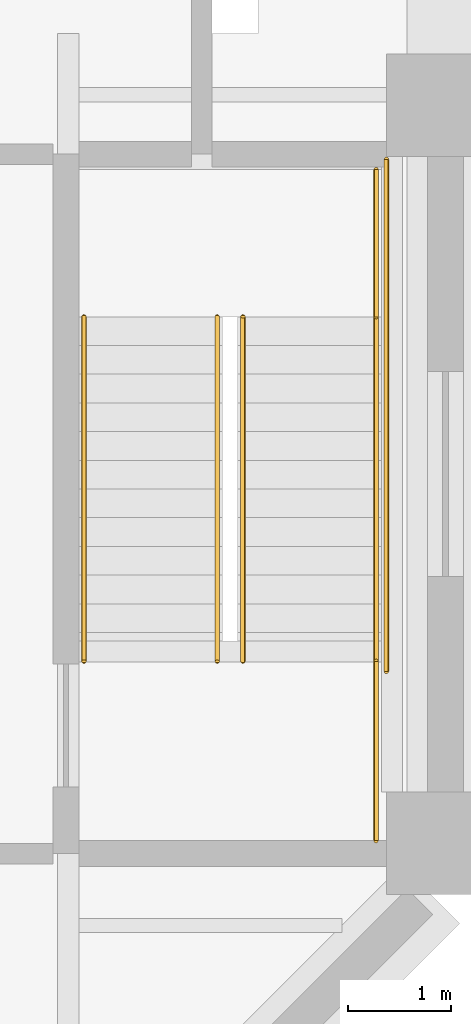
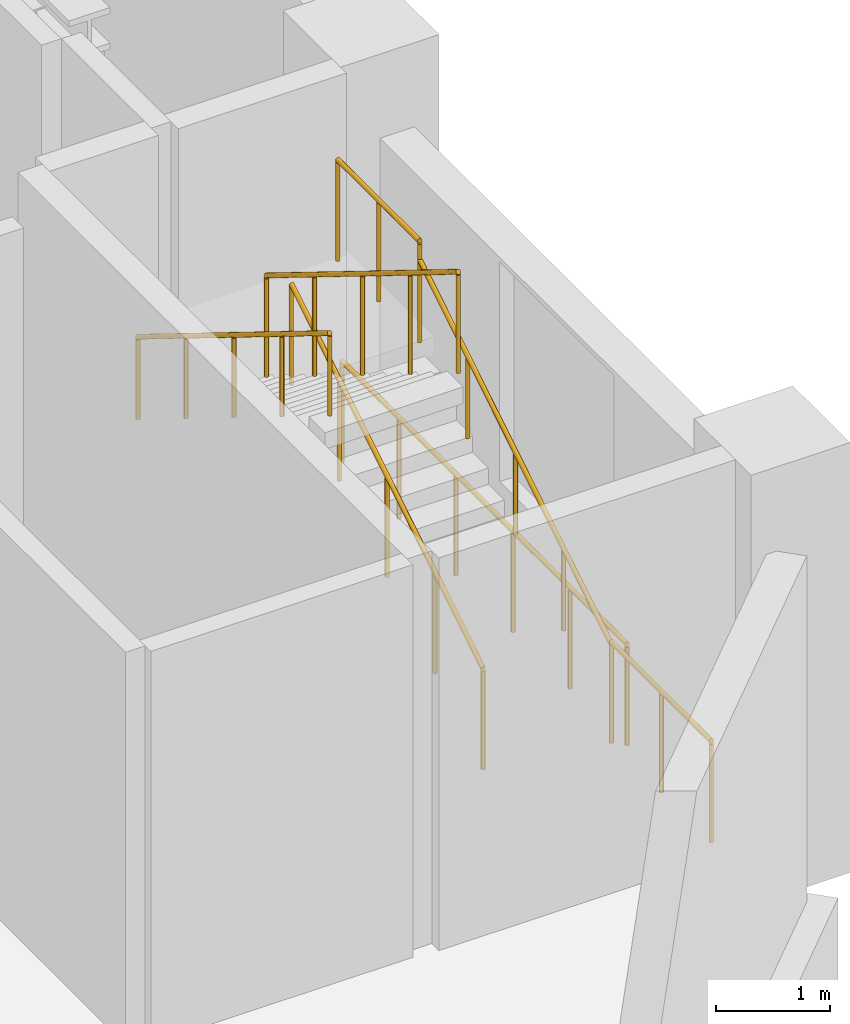
# One storey, part 30 of 32: 7 railings.
"""IFC4 building model written with IfcOpenShell, lengths in metres."""

from ifc_helpers import new_model, si_unit, direction, frame, origin, origin_2d, place, context, subcontext, project, spatial, circle, extrude, material, type_object, element, save


model = new_model("IFC4")

# Units and contexts
model_context = context("Model", 3, precision=1e-05, world=origin(), true_north=direction((0.0, 1.0)))
body_context = subcontext(model_context, "Body", "Model", "MODEL_VIEW")
ifc_project = project(units=[si_unit("LENGTHUNIT", "METRE"), si_unit("AREAUNIT", "SQUARE_METRE"), si_unit("VOLUMEUNIT", "CUBIC_METRE"), si_unit("PLANEANGLEUNIT", "RADIAN"), si_unit("MASSUNIT", "GRAM", prefix="KILO")], contexts=[model_context])

# Site, building, storey
site_placement = place(None, origin())
site = spatial("IfcSite", under=ifc_project, at=site_placement, CompositionType="ELEMENT")
building_placement = place(site_placement, origin())
building = spatial("IfcBuilding", under=site, at=building_placement, Name="Isthmus Gate Tower", CompositionType="ELEMENT")
storey_placement = place(building_placement, frame((0.0, 0.0, 18.0)))
storey = spatial("IfcBuildingStorey", under=building, at=storey_placement, Name="L02", CompositionType="ELEMENT", Elevation=18.0)

# Railings
ifc_material_1 = material(Name="Painted steel balusters with timber handrail", Category="steel")
railing_type_1 = type_object("IfcRailingType", Name="Podium stair guard 1100", PredefinedType="GUARDRAIL", material=ifc_material_1)
railing_1_placement = place(storey_placement, frame((49.60009765625, -32.72509765625, 0.173095703125)))
element("IfcRailing", 1, at=railing_1_placement, inside=storey, type_object=railing_type_1, Name="L02 ST4 stair guard 1", PredefinedType="GUARDRAIL", context=body_context, shape_type="SweptSolid", body=[
    extrude(circle(Radius=0.02392578125, at=origin_2d()), frame((0.0, 0.0, 1.076171875), z_axis=(0.0, 0.850623216509, 0.525775754039), x_axis=(-1.0, 0.0, 0.0)), (0.0, 0.0, 1.0), 3.9501953125),
    extrude(circle(Radius=0.02099609375, at=origin_2d()), origin(), (0.0, 0.0, 1.0), 1.052001953125),
    extrude(circle(Radius=0.02099609375, at=origin_2d()), frame((0.0, 0.840087890625, 0.519287109375)), (0.0, 0.0, 1.0), 1.052001953125),
    extrude(circle(Radius=0.02099609375, at=origin_2d()), frame((0.0, 1.68017578125, 1.03857421875)), (0.0, 0.0, 1.0), 1.052001953125),
    extrude(circle(Radius=0.02099609375, at=origin_2d()), frame((0.0, 2.52001953125, 1.5576171875)), (0.0, 0.0, 1.0), 1.052001953125),
    extrude(circle(Radius=0.02099609375, at=origin_2d()), frame((0.0, 3.360107421875, 2.076904296875)), (0.0, 0.0, 1.0), 1.052001953125),
])
railing_2_placement = place(storey_placement, frame((50.89990234375, -29.364990234375, 2.25)))
element("IfcRailing", 2, at=railing_2_placement, inside=storey, type_object=railing_type_1, Name="L02 ST4 stair guard 2", PredefinedType="GUARDRAIL", context=body_context, shape_type="SweptSolid", body=[
    extrude(circle(Radius=0.02392578125, at=origin_2d()), frame((0.0, 0.0, 1.076171875), z_axis=(0.0, 1.0, 0.0), x_axis=(-1.0, 0.0, 0.0)), (0.0, 0.0, 1.0), 1.43603515625),
    extrude(circle(Radius=0.02099609375, at=origin_2d()), origin(), (0.0, 0.0, 1.0), 1.052001953125),
    extrude(circle(Radius=0.02099609375, at=origin_2d()), frame((0.0, 0.718017578125, 0.0)), (0.0, 0.0, 1.0), 1.052001953125),
    extrude(circle(Radius=0.02099609375, at=origin_2d()), frame((0.0, 1.43603515625, 0.0)), (0.0, 0.0, 1.0), 1.052001953125),
])
railing_3_placement = place(storey_placement, frame((49.35009765625, -29.364990234375, 2.423095703125)))
element("IfcRailing", 3, at=railing_3_placement, inside=storey, type_object=railing_type_1, Name="L02 ST4 stair guard 3", PredefinedType="GUARDRAIL", context=body_context, shape_type="SweptSolid", body=[
    extrude(circle(Radius=0.02392578125, at=origin_2d()), frame((0.0, 0.0, 1.076171875), z_axis=(0.0, -0.850623216509, 0.525775754039), x_axis=(1.0, 0.0, 0.0)), (0.0, 0.0, 1.0), 3.9501953125),
    extrude(circle(Radius=0.02099609375, at=origin_2d()), origin(), (0.0, 0.0, 1.0), 1.052001953125),
    extrude(circle(Radius=0.02099609375, at=origin_2d()), frame((0.0, -0.840087890625, 0.519287109375)), (0.0, 0.0, 1.0), 1.052001953125),
    extrude(circle(Radius=0.02099609375, at=origin_2d()), frame((0.0, -1.68017578125, 1.03857421875)), (0.0, 0.0, 1.0), 1.052001953125),
    extrude(circle(Radius=0.02099609375, at=origin_2d()), frame((0.0, -2.52001953125, 1.5576171875)), (0.0, 0.0, 1.0), 1.052001953125),
    extrude(circle(Radius=0.02099609375, at=origin_2d()), frame((0.0, -3.360107421875, 2.076904296875)), (0.0, 0.0, 1.0), 1.052001953125),
])
railing_4_placement = place(storey_placement, frame((50.89990234375, -34.47509765625, 0.0)))
element("IfcRailing", 4, at=railing_4_placement, inside=storey, type_object=railing_type_1, Name="L02 ST4 stair guard 4", PredefinedType="GUARDRAIL", context=body_context, shape_type="SweptSolid", body=[
    extrude(circle(Radius=0.02392578125, at=origin_2d()), frame((0.0, 0.0, 1.076171875), z_axis=(0.0, 1.0, 0.0), x_axis=(-1.0, 0.0, 0.0)), (0.0, 0.0, 1.0), 1.75),
    extrude(circle(Radius=0.02099609375, at=origin_2d()), origin(), (0.0, 0.0, 1.0), 1.052001953125),
    extrude(circle(Radius=0.02099609375, at=origin_2d()), frame((0.0, 0.875, 0.0)), (0.0, 0.0, 1.0), 1.052001953125),
    extrude(circle(Radius=0.02099609375, at=origin_2d()), frame((0.0, 1.75, 0.0)), (0.0, 0.0, 1.0), 1.052001953125),
])
railing_5_placement = place(storey_placement, frame((51.0, -32.824951171875, 0.0)))
element("IfcRailing", 5, at=railing_5_placement, inside=storey, type_object=railing_type_1, Name="L02 ST4 stair guard 5", PredefinedType="GUARDRAIL", context=body_context, shape_type="SweptSolid", body=[
    extrude(circle(Radius=0.02392578125, at=origin_2d()), frame((0.0, 0.0, 1.076171875), z_axis=(0.0, 1.0, 0.0), x_axis=(-1.0, 0.0, 0.0)), (0.0, 0.0, 1.0), 4.995849609375),
    extrude(circle(Radius=0.02099609375, at=origin_2d()), origin(), (0.0, 0.0, 1.0), 1.052001953125),
    extrude(circle(Radius=0.02099609375, at=origin_2d()), frame((0.0, 0.999267578125, 0.0)), (0.0, 0.0, 1.0), 1.052001953125),
    extrude(circle(Radius=0.02099609375, at=origin_2d()), frame((0.0, 1.998291015625, 0.0)), (0.0, 0.0, 1.0), 1.052001953125),
    extrude(circle(Radius=0.02099609375, at=origin_2d()), frame((0.0, 2.99755859375, 0.0)), (0.0, 0.0, 1.0), 1.052001953125),
    extrude(circle(Radius=0.02099609375, at=origin_2d()), frame((0.0, 3.99658203125, 0.0)), (0.0, 0.0, 1.0), 1.052001953125),
    extrude(circle(Radius=0.02099609375, at=origin_2d()), frame((0.0, 4.995849609375, 0.0)), (0.0, 0.0, 1.0), 1.052001953125),
])
ifc_material_2 = material(Name="Stainless steel tube", Category="steel")
railing_type_2 = type_object("IfcRailingType", Name="Podium stair handrail 900", PredefinedType="HANDRAIL", material=ifc_material_2)
railing_6_placement = place(storey_placement, frame((50.89990234375, -32.72509765625, 0.173095703125)))
element("IfcRailing", 6, at=railing_6_placement, inside=storey, type_object=railing_type_2, Name="L02 ST4 stair handrail 1", PredefinedType="HANDRAIL", context=body_context, shape_type="SweptSolid", body=[
    extrude(circle(Radius=0.02392578125, at=origin_2d()), frame((0.0, 0.0, 0.8759765625), z_axis=(0.0, 0.850623216509, 0.525775754039), x_axis=(-1.0, 0.0, 0.0)), (0.0, 0.0, 1.0), 3.9501953125),
    extrude(circle(Radius=0.02099609375, at=origin_2d()), origin(), (0.0, 0.0, 1.0), 0.851806640625),
    extrude(circle(Radius=0.02099609375, at=origin_2d()), frame((0.0, 0.840087890625, 0.519287109375)), (0.0, 0.0, 1.0), 0.851806640625),
    extrude(circle(Radius=0.02099609375, at=origin_2d()), frame((0.0, 1.68017578125, 1.03857421875)), (0.0, 0.0, 1.0), 0.851806640625),
    extrude(circle(Radius=0.02099609375, at=origin_2d()), frame((0.0, 2.52001953125, 1.5576171875)), (0.0, 0.0, 1.0), 0.851806640625),
    extrude(circle(Radius=0.02099609375, at=origin_2d()), frame((0.0, 3.360107421875, 2.076904296875)), (0.0, 0.0, 1.0), 0.851806640625),
])
railing_7_placement = place(storey_placement, frame((48.050048828125, -29.364990234375, 2.423095703125)))
element("IfcRailing", 7, at=railing_7_placement, inside=storey, type_object=railing_type_2, Name="L02 ST4 stair handrail 2", PredefinedType="HANDRAIL", context=body_context, shape_type="SweptSolid", body=[
    extrude(circle(Radius=0.02392578125, at=origin_2d()), frame((0.0, 0.0, 0.8759765625), z_axis=(0.0, -0.850623216509, 0.525775754039), x_axis=(1.0, 0.0, 0.0)), (0.0, 0.0, 1.0), 3.9501953125),
    extrude(circle(Radius=0.02099609375, at=origin_2d()), origin(), (0.0, 0.0, 1.0), 0.851806640625),
    extrude(circle(Radius=0.02099609375, at=origin_2d()), frame((0.0, -0.840087890625, 0.519287109375)), (0.0, 0.0, 1.0), 0.851806640625),
    extrude(circle(Radius=0.02099609375, at=origin_2d()), frame((0.0, -1.68017578125, 1.03857421875)), (0.0, 0.0, 1.0), 0.851806640625),
    extrude(circle(Radius=0.02099609375, at=origin_2d()), frame((0.0, -2.52001953125, 1.5576171875)), (0.0, 0.0, 1.0), 0.851806640625),
    extrude(circle(Radius=0.02099609375, at=origin_2d()), frame((0.0, -3.360107421875, 2.076904296875)), (0.0, 0.0, 1.0), 0.851806640625),
])

save(model, "model.ifc")
